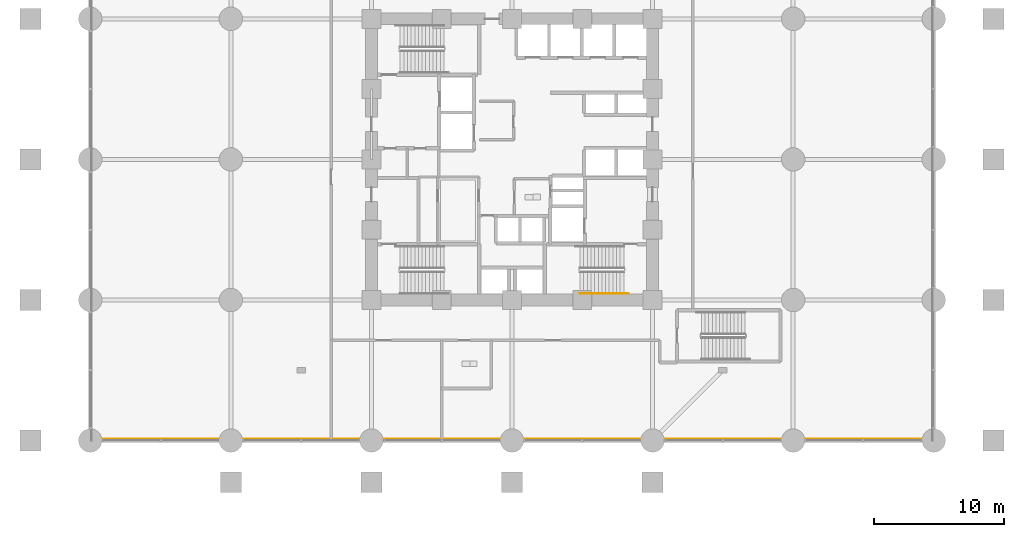
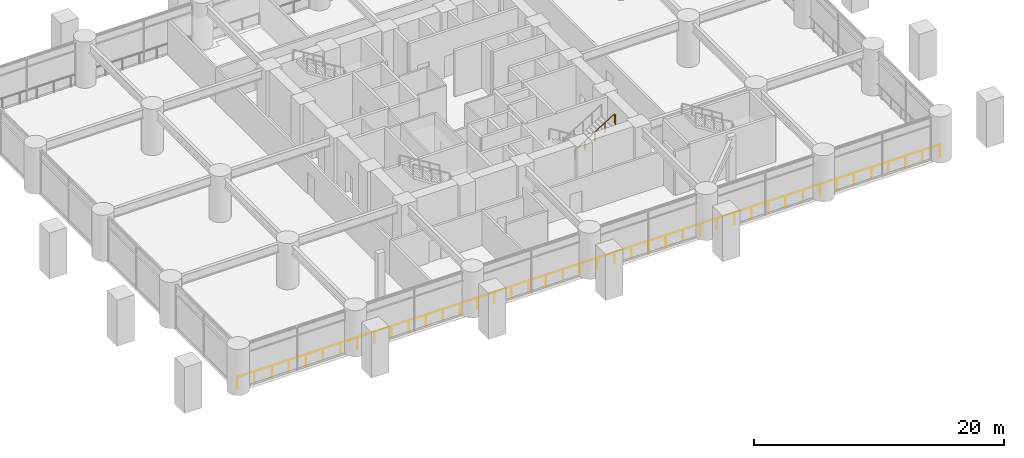
# One storey, part 28 of 31: 2 railings.
"""IFC4 building model written with IfcOpenShell, lengths in metres."""

from ifc_helpers import new_model, si_unit, direction, frame, origin, origin_2d, place, context, subcontext, project, spatial, circle, extrude, material, type_object, element, save


model = new_model("IFC4")

# Units and contexts
model_context = context("Model", 3, precision=1e-05, world=origin(), true_north=direction((0.0, 1.0)))
body_context = subcontext(model_context, "Body", "Model", "MODEL_VIEW")
ifc_project = project(units=[si_unit("LENGTHUNIT", "METRE"), si_unit("AREAUNIT", "SQUARE_METRE"), si_unit("VOLUMEUNIT", "CUBIC_METRE"), si_unit("PLANEANGLEUNIT", "RADIAN"), si_unit("MASSUNIT", "GRAM", prefix="KILO")], contexts=[model_context])

# Site, building, storey
site_placement = place(None, origin())
site = spatial("IfcSite", under=ifc_project, at=site_placement, CompositionType="ELEMENT")
building_placement = place(site_placement, origin())
building = spatial("IfcBuilding", under=site, at=building_placement, Name="Surkhivell Harbour Commons", CompositionType="ELEMENT")
storey_placement = place(building_placement, frame((0.0, 0.0, 4.5)))
storey = spatial("IfcBuildingStorey", under=building, at=storey_placement, Name="L01", CompositionType="ELEMENT", Elevation=4.5)

# Railings
ifc_material_1 = material(Name="Laminated safety glass and stainless steel S355 balustrade", Category="steel")
railing_type_1 = type_object("IfcRailingType", Name="RAL-BAL-1150", PredefinedType="BALUSTRADE", material=ifc_material_1)
railing_1_placement = place(storey_placement, frame((-32.39990234375, -21.5, 0.0)))
element("IfcRailing", 1, at=railing_1_placement, inside=storey, type_object=railing_type_1, Name="L01 Perimeter Safety Guard 01", PredefinedType="BALUSTRADE", context=body_context, shape_type="SweptSolid", body=[
    extrude(circle(Radius=0.02392578125, at=origin_2d()), frame((0.0, 0.0, 1.1259765625), z_axis=(1.0, 0.0, 0.0), x_axis=(0.0, 1.0, 0.0)), (0.0, 0.0, 1.0), 64.7998046875),
    extrude(circle(Radius=0.02099609375, at=origin_2d()), origin(), (0.0, 0.0, 1.0), 1.101806640625),
    extrude(circle(Radius=0.02099609375, at=origin_2d()), frame((1.58056640625, 0.0, 0.0)), (0.0, 0.0, 1.0), 1.101806640625),
    extrude(circle(Radius=0.02099609375, at=origin_2d()), frame((3.160888671875, 0.0, 0.0)), (0.0, 0.0, 1.0), 1.101806640625),
    extrude(circle(Radius=0.02099609375, at=origin_2d()), frame((4.741455078125, 0.0, 0.0)), (0.0, 0.0, 1.0), 1.101806640625),
    extrude(circle(Radius=0.02099609375, at=origin_2d()), frame((6.322021484375, 0.0, 0.0)), (0.0, 0.0, 1.0), 1.101806640625),
    extrude(circle(Radius=0.02099609375, at=origin_2d()), frame((7.90234375, 0.0, 0.0)), (0.0, 0.0, 1.0), 1.101806640625),
    extrude(circle(Radius=0.02099609375, at=origin_2d()), frame((9.48291015625, 0.0, 0.0)), (0.0, 0.0, 1.0), 1.101806640625),
    extrude(circle(Radius=0.02099609375, at=origin_2d()), frame((11.0634765625, 0.0, 0.0)), (0.0, 0.0, 1.0), 1.101806640625),
    extrude(circle(Radius=0.02099609375, at=origin_2d()), frame((12.643798828125, 0.0, 0.0)), (0.0, 0.0, 1.0), 1.101806640625),
    extrude(circle(Radius=0.02099609375, at=origin_2d()), frame((14.224365234375, 0.0, 0.0)), (0.0, 0.0, 1.0), 1.101806640625),
    extrude(circle(Radius=0.02099609375, at=origin_2d()), frame((15.804931640625, 0.0, 0.0)), (0.0, 0.0, 1.0), 1.101806640625),
    extrude(circle(Radius=0.02099609375, at=origin_2d()), frame((17.38525390625, 0.0, 0.0)), (0.0, 0.0, 1.0), 1.101806640625),
    extrude(circle(Radius=0.02099609375, at=origin_2d()), frame((18.9658203125, 0.0, 0.0)), (0.0, 0.0, 1.0), 1.101806640625),
    extrude(circle(Radius=0.02099609375, at=origin_2d()), frame((20.54638671875, 0.0, 0.0)), (0.0, 0.0, 1.0), 1.101806640625),
    extrude(circle(Radius=0.02099609375, at=origin_2d()), frame((22.126708984375, 0.0, 0.0)), (0.0, 0.0, 1.0), 1.101806640625),
    extrude(circle(Radius=0.02099609375, at=origin_2d()), frame((23.707275390625, 0.0, 0.0)), (0.0, 0.0, 1.0), 1.101806640625),
    extrude(circle(Radius=0.02099609375, at=origin_2d()), frame((25.287841796875, 0.0, 0.0)), (0.0, 0.0, 1.0), 1.101806640625),
    extrude(circle(Radius=0.02099609375, at=origin_2d()), frame((26.8681640625, 0.0, 0.0)), (0.0, 0.0, 1.0), 1.101806640625),
    extrude(circle(Radius=0.02099609375, at=origin_2d()), frame((28.44873046875, 0.0, 0.0)), (0.0, 0.0, 1.0), 1.101806640625),
    extrude(circle(Radius=0.02099609375, at=origin_2d()), frame((30.029296875, 0.0, 0.0)), (0.0, 0.0, 1.0), 1.101806640625),
    extrude(circle(Radius=0.02099609375, at=origin_2d()), frame((31.609619140625, 0.0, 0.0)), (0.0, 0.0, 1.0), 1.101806640625),
    extrude(circle(Radius=0.02099609375, at=origin_2d()), frame((33.190185546875, 0.0, 0.0)), (0.0, 0.0, 1.0), 1.101806640625),
    extrude(circle(Radius=0.02099609375, at=origin_2d()), frame((34.7705078125, 0.0, 0.0)), (0.0, 0.0, 1.0), 1.101806640625),
    extrude(circle(Radius=0.02099609375, at=origin_2d()), frame((36.35107421875, 0.0, 0.0)), (0.0, 0.0, 1.0), 1.101806640625),
    extrude(circle(Radius=0.02099609375, at=origin_2d()), frame((37.931640625, 0.0, 0.0)), (0.0, 0.0, 1.0), 1.101806640625),
    extrude(circle(Radius=0.02099609375, at=origin_2d()), frame((39.511962890625, 0.0, 0.0)), (0.0, 0.0, 1.0), 1.101806640625),
    extrude(circle(Radius=0.02099609375, at=origin_2d()), frame((41.092529296875, 0.0, 0.0)), (0.0, 0.0, 1.0), 1.101806640625),
    extrude(circle(Radius=0.02099609375, at=origin_2d()), frame((42.673095703125, 0.0, 0.0)), (0.0, 0.0, 1.0), 1.101806640625),
    extrude(circle(Radius=0.02099609375, at=origin_2d()), frame((44.25341796875, 0.0, 0.0)), (0.0, 0.0, 1.0), 1.101806640625),
    extrude(circle(Radius=0.02099609375, at=origin_2d()), frame((45.833984375, 0.0, 0.0)), (0.0, 0.0, 1.0), 1.101806640625),
    extrude(circle(Radius=0.02099609375, at=origin_2d()), frame((47.41455078125, 0.0, 0.0)), (0.0, 0.0, 1.0), 1.101806640625),
    extrude(circle(Radius=0.02099609375, at=origin_2d()), frame((48.994873046875, 0.0, 0.0)), (0.0, 0.0, 1.0), 1.101806640625),
    extrude(circle(Radius=0.02099609375, at=origin_2d()), frame((50.575439453125, 0.0, 0.0)), (0.0, 0.0, 1.0), 1.101806640625),
    extrude(circle(Radius=0.02099609375, at=origin_2d()), frame((52.156005859375, 0.0, 0.0)), (0.0, 0.0, 1.0), 1.101806640625),
    extrude(circle(Radius=0.02099609375, at=origin_2d()), frame((53.736328125, 0.0, 0.0)), (0.0, 0.0, 1.0), 1.101806640625),
    extrude(circle(Radius=0.02099609375, at=origin_2d()), frame((55.31689453125, 0.0, 0.0)), (0.0, 0.0, 1.0), 1.101806640625),
    extrude(circle(Radius=0.02099609375, at=origin_2d()), frame((56.8974609375, 0.0, 0.0)), (0.0, 0.0, 1.0), 1.101806640625),
    extrude(circle(Radius=0.02099609375, at=origin_2d()), frame((58.477783203125, 0.0, 0.0)), (0.0, 0.0, 1.0), 1.101806640625),
    extrude(circle(Radius=0.02099609375, at=origin_2d()), frame((60.058349609375, 0.0, 0.0)), (0.0, 0.0, 1.0), 1.101806640625),
    extrude(circle(Radius=0.02099609375, at=origin_2d()), frame((61.638916015625, 0.0, 0.0)), (0.0, 0.0, 1.0), 1.101806640625),
    extrude(circle(Radius=0.02099609375, at=origin_2d()), frame((63.21923828125, 0.0, 0.0)), (0.0, 0.0, 1.0), 1.101806640625),
    extrude(circle(Radius=0.02099609375, at=origin_2d()), frame((64.7998046875, 0.0, 0.0)), (0.0, 0.0, 1.0), 1.101806640625),
])
ifc_material_2 = material(Name="Brushed stainless steel S355 handrail", Category="steel")
railing_type_2 = type_object("IfcRailingType", Name="RAL-ST-HND900", PredefinedType="HANDRAIL", material=ifc_material_2)
railing_2_placement = place(storey_placement, frame((5.22998046875, -10.2900390625, 2.423095703125)))
element("IfcRailing", 2, at=railing_2_placement, inside=storey, type_object=railing_type_2, Name="L01 ST2 stair handrail 2", PredefinedType="HANDRAIL", context=body_context, shape_type="SweptSolid", body=[
    extrude(circle(Radius=0.02392578125, at=origin_2d()), frame((0.0, 0.0, 0.8759765625), z_axis=(0.850622404505, 0.0, 0.525777067734), x_axis=(0.0, 1.0, 0.0)), (0.0, 0.0, 1.0), 4.279296875),
    extrude(circle(Radius=0.02392578125, at=origin_2d()), frame((3.64013671875, 0.0, 3.1259765625), z_axis=(0.418814502111, 0.0, -0.908071810388), x_axis=(0.0, 1.0, 0.0)), (0.0, 0.0, 1.0), 0.190673828125),
    extrude(circle(Radius=0.02099609375, at=origin_2d()), origin(), (0.0, 0.0, 1.0), 0.851806640625),
    extrude(circle(Radius=0.02099609375, at=origin_2d()), frame((0.91015625, 0.0, 0.5625)), (0.0, 0.0, 1.0), 0.851806640625),
    extrude(circle(Radius=0.02099609375, at=origin_2d()), frame((1.820068359375, 0.0, 1.125)), (0.0, 0.0, 1.0), 0.851806640625),
    extrude(circle(Radius=0.02099609375, at=origin_2d()), frame((2.72998046875, 0.0, 1.6875)), (0.0, 0.0, 1.0), 0.851806640625),
    extrude(circle(Radius=0.02099609375, at=origin_2d()), frame((3.64013671875, 0.0, 2.25)), (0.0, 0.0, 1.0), 0.851806640625),
    extrude(circle(Radius=0.02099609375, at=origin_2d()), frame((3.719970703125, 0.0, 2.076904296875)), (0.0, 0.0, 1.0), 0.851806640625),
])

save(model, "model.ifc")
